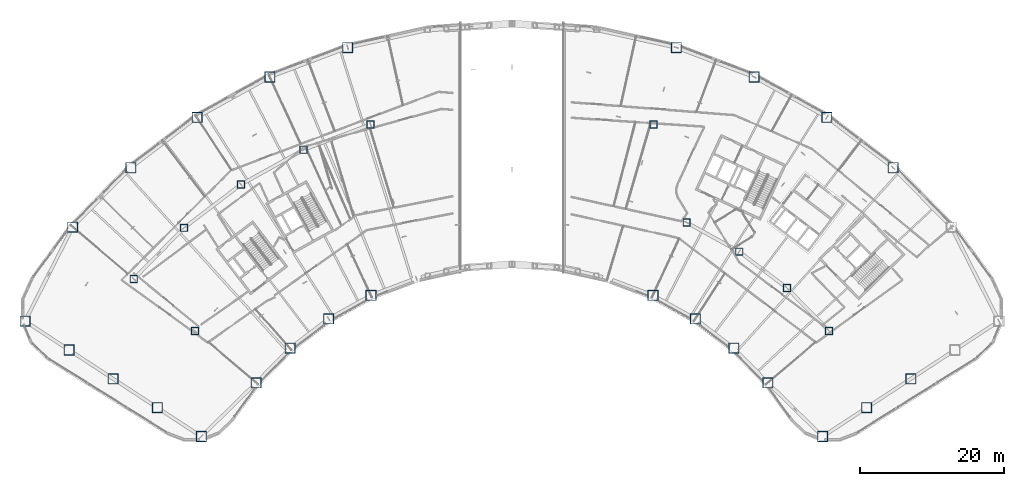
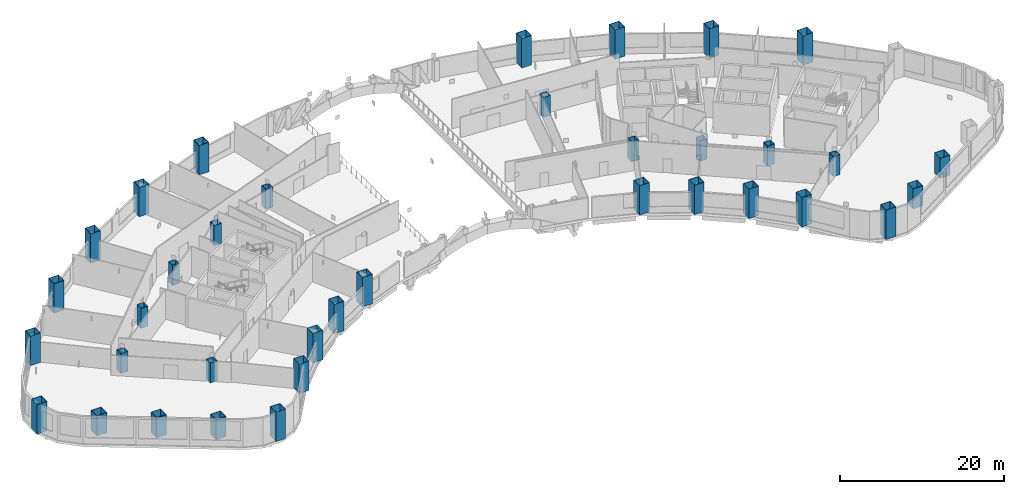
# One storey, part 1 of 24: 36 columns.
"""IFC4 building model written with IfcOpenShell, lengths in metres."""

from ifc_helpers import new_model, si_unit, direction, frame, origin, origin_2d, place, context, subcontext, project, spatial, hollow_rectangle, extrude, material, material_profile, profile_set, type_object, element, save


model = new_model("IFC4")

# Units and contexts
model_context = context("Model", 3, precision=1e-05, world=origin(), true_north=direction((0.0, 1.0)))
body_context = subcontext(model_context, "Body", "Model", "MODEL_VIEW")
ifc_project = project(units=[si_unit("LENGTHUNIT", "METRE"), si_unit("AREAUNIT", "SQUARE_METRE"), si_unit("VOLUMEUNIT", "CUBIC_METRE"), si_unit("PLANEANGLEUNIT", "RADIAN"), si_unit("MASSUNIT", "GRAM", prefix="KILO")], contexts=[model_context])

# Site, building, storey
site_placement = place(None, origin())
site = spatial("IfcSite", under=ifc_project, at=site_placement, CompositionType="ELEMENT")
building_placement = place(site_placement, origin())
building = spatial("IfcBuilding", under=site, at=building_placement, Name="Tuul Gate Civic Tower", CompositionType="ELEMENT")
storey_placement = place(building_placement, frame((0.0, 0.0, 21.89990234375)))
storey = spatial("IfcBuildingStorey", under=building, at=storey_placement, Name="Level 04", CompositionType="ELEMENT", Elevation=21.89990234375)

# Columns
ifc_material_1 = material(Name="Steel S355", Category="steel")
ifc_material_profile_1 = material_profile(ifc_material_1, hollow_rectangle(XDim=1.0, YDim=1.0, WallThickness=0.0400390625, at=origin_2d()), Name="BOX1000x1000x40")
ifc_profile_set_1 = profile_set([ifc_material_profile_1], Name="Steel S355")
column_type_1 = type_object("IfcColumnType", Name="STR-COLUMN-BOX1000x1000x40", PredefinedType="COLUMN", material=ifc_profile_set_1)
for number, where, z_axis, x_axis, name in (
    (1, (-52.471435546875, -15.52392578125, 0.0), (0.0, 0.0, 1.0), (1.0, 0.0, 0.0), "Interior column"),
    (2, (-45.513916015625, -8.42626953125, 0.0), (0.0, 0.0, 1.0), (1.0, 0.0, 0.0), "Interior column"),
    (3, (-37.606689453125, -2.40576171875, 0.0), (0.0, 0.0, 1.0), (1.0, 0.0, 0.0), "Interior column"),
    (4, (-28.9140625, 2.4130859375, 0.0), (0.0, 0.0, 1.0), (1.0, 0.0, 0.0), "Interior column"),
    (5, (-19.617919921875, 5.927978515625, 0.0), (0.0, 0.0, 1.0), (1.0, 0.0, 0.0), "Interior column"),
    (6, (19.617919921875, 5.927978515625, 0.0), (0.0, 0.0, 1.0), (1.0, 0.0, 0.0), "Interior column"),
    (7, (-43.981689453125, -22.719970703125, 0.0), (0.0, 0.0, 1.0), (1.0, 0.0, 0.0), "Interior column"),
    (8, (24.236083984375, -7.68505859375, 0.0), (0.0, 0.0, 1.0), (1.0, 0.0, 0.0), "Interior column"),
    (9, (31.522216796875, -11.724365234375, 0.0), (0.0, 0.0, 1.0), (1.0, 0.0, 0.0), "Interior column"),
    (10, (38.14990234375, -16.770751953125, 0.0), (0.0, 0.0, 1.0), (1.0, 0.0, 0.0), "Interior column"),
    (11, (43.981689453125, -22.719970703125, 0.0), (0.0, 0.0, 1.0), (1.0, 0.0, 0.0), "Interior column"),
):
    element("IfcColumn", number, at=place(storey_placement, frame(where, z_axis=z_axis, x_axis=x_axis)), inside=storey, type_object=column_type_1, Name=name, PredefinedType="COLUMN", context=body_context, shape_type="SweptSolid", body=[
        extrude(hollow_rectangle(XDim=1.0, YDim=1.0, WallThickness=0.0400390625, at=origin_2d()), origin(), (0.0, 0.0, 1.0), 3.0),
    ])
ifc_material_2 = material(Name="Steel S355", Category="steel")
ifc_material_profile_2 = material_profile(ifc_material_2, hollow_rectangle(XDim=1.39990234375, YDim=1.39990234375, WallThickness=0.0400390625, at=origin_2d()), Name="BOX1400x1400x40")
ifc_profile_set_2 = profile_set([ifc_material_profile_2], Name="Steel S355")
column_type_2 = type_object("IfcColumnType", Name="STR-COLUMN-BOX1400x1400x40", PredefinedType="COLUMN", material=ifc_profile_set_2)
for number, where, z_axis, x_axis, name in (
    (12, (52.8779296875, -0.08203125, 0.0), (0.0, 0.0, 1.0), (1.0, 0.0, 0.0), "Column"),
    (13, (43.69091796875, 6.9130859375, 0.0), (0.0, 0.0, 1.0), (1.0, 0.0, 0.0), "Column"),
    (14, (33.592041015625, 12.510986328125, 0.0), (0.0, 0.0, 1.0), (1.0, 0.0, 0.0), "Column"),
    (15, (22.7919921875, 16.594970703125, 0.0), (0.0, 0.0, 1.0), (1.0, 0.0, 0.0), "Column"),
    (16, (-22.7919921875, 16.594970703125, 0.0), (0.0, 0.0, 1.0), (1.0, 0.0, 0.0), "Column"),
    (17, (-33.592041015625, 12.510986328125, 0.0), (0.0, 0.0, 1.0), (1.0, 0.0, 0.0), "Column"),
    (18, (-43.69091796875, 6.9130859375, 0.0), (0.0, 0.0, 1.0), (1.0, 0.0, 0.0), "Column"),
    (19, (-52.8779296875, -0.08203125, 0.0), (0.0, 0.0, 1.0), (1.0, 0.0, 0.0), "Column"),
    (20, (-60.9609375, -8.327880859375, 0.0), (0.0, 0.0, 1.0), (1.0, 0.0, 0.0), "Column"),
    (21, (-67.56201171875, -21.366943359375, 0.0), (0.0, 0.0, 1.0), (1.0, 0.0, 0.0), "Column"),
):
    element("IfcColumn", number, at=place(storey_placement, frame(where, z_axis=z_axis, x_axis=x_axis)), inside=storey, type_object=column_type_2, Name=name, PredefinedType="COLUMN", context=body_context, shape_type="SweptSolid", body=[
        extrude(hollow_rectangle(XDim=1.39990234375, YDim=1.39990234375, WallThickness=0.0400390625, at=origin_2d()), origin(), (0.0, 0.0, 1.0), 4.400146484375),
    ])
for number, where, z_axis, x_axis, name in (
    (22, (-61.447021484375, -25.368896484375, 0.0), (0.0, 0.0, 1.0), (1.0, 0.0, 0.0), "Column"),
    (23, (-55.33203125, -29.37109375, 0.0), (0.0, 0.0, 1.0), (1.0, 0.0, 0.0), "Column"),
    (24, (-49.218017578125, -33.3720703125, 0.0), (0.0, 0.0, 1.0), (1.0, 0.0, 0.0), "Column"),
):
    element("IfcColumn", number, at=place(storey_placement, frame(where, z_axis=z_axis, x_axis=x_axis)), inside=storey, type_object=column_type_2, Name=name, PredefinedType="COLUMN", context=body_context, shape_type="SweptSolid", body=[
        extrude(hollow_rectangle(XDim=1.39990234375, YDim=1.39990234375, WallThickness=0.0400390625, at=origin_2d()), origin(), (0.0, 0.0, 1.0), 3.0),
    ])
for number, where, z_axis, x_axis, name in (
    (25, (-43.10302734375, -37.3740234375, 0.0), (0.0, 0.0, 1.0), (1.0, 0.0, 0.0), "Column"),
    (26, (-35.491943359375, -29.916015625, 0.0), (0.0, 0.0, 1.0), (1.0, 0.0, 0.0), "Column"),
    (27, (-30.785888671875, -25.114990234375, 0.0), (0.0, 0.0, 1.0), (1.0, 0.0, 0.0), "Column"),
    (28, (-25.43798828125, -21.04296875, 0.0), (0.0, 0.0, 1.0), (1.0, 0.0, 0.0), "Column"),
    (29, (-19.55810546875, -17.782958984375, 0.0), (0.0, 0.0, 1.0), (1.0, 0.0, 0.0), "Column"),
    (30, (19.55810546875, -17.782958984375, 0.0), (0.0, 0.0, 1.0), (1.0, 0.0, 0.0), "Column"),
    (31, (25.43798828125, -21.04296875, 0.0), (0.0, 0.0, 1.0), (1.0, 0.0, 0.0), "Column"),
    (32, (30.785888671875, -25.114990234375, 0.0), (0.0, 0.0, 1.0), (1.0, 0.0, 0.0), "Column"),
    (33, (35.491943359375, -29.916015625, 0.0), (0.0, 0.0, 1.0), (1.0, 0.0, 0.0), "Column"),
    (34, (43.10302734375, -37.3740234375, 0.0), (0.0, 0.0, 1.0), (1.0, 0.0, 0.0), "Column"),
):
    element("IfcColumn", number, at=place(storey_placement, frame(where, z_axis=z_axis, x_axis=x_axis)), inside=storey, type_object=column_type_2, Name=name, PredefinedType="COLUMN", context=body_context, shape_type="SweptSolid", body=[
        extrude(hollow_rectangle(XDim=1.39990234375, YDim=1.39990234375, WallThickness=0.0400390625, at=origin_2d()), origin(), (0.0, 0.0, 1.0), 4.400146484375),
    ])
for number, where, z_axis, x_axis, name in (
    (35, (49.218017578125, -33.3720703125, 0.0), (0.0, 0.0, 1.0), (1.0, 0.0, 0.0), "Column"),
    (36, (55.33203125, -29.37109375, 0.0), (0.0, 0.0, 1.0), (1.0, 0.0, 0.0), "Column"),
):
    element("IfcColumn", number, at=place(storey_placement, frame(where, z_axis=z_axis, x_axis=x_axis)), inside=storey, type_object=column_type_2, Name=name, PredefinedType="COLUMN", context=body_context, shape_type="SweptSolid", body=[
        extrude(hollow_rectangle(XDim=1.39990234375, YDim=1.39990234375, WallThickness=0.0400390625, at=origin_2d()), origin(), (0.0, 0.0, 1.0), 3.0),
    ])

save(model, "model.ifc")
